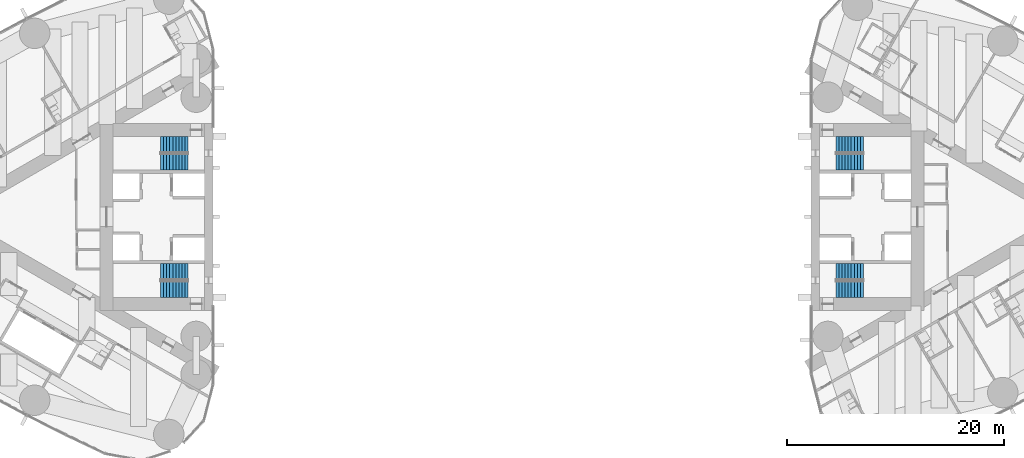
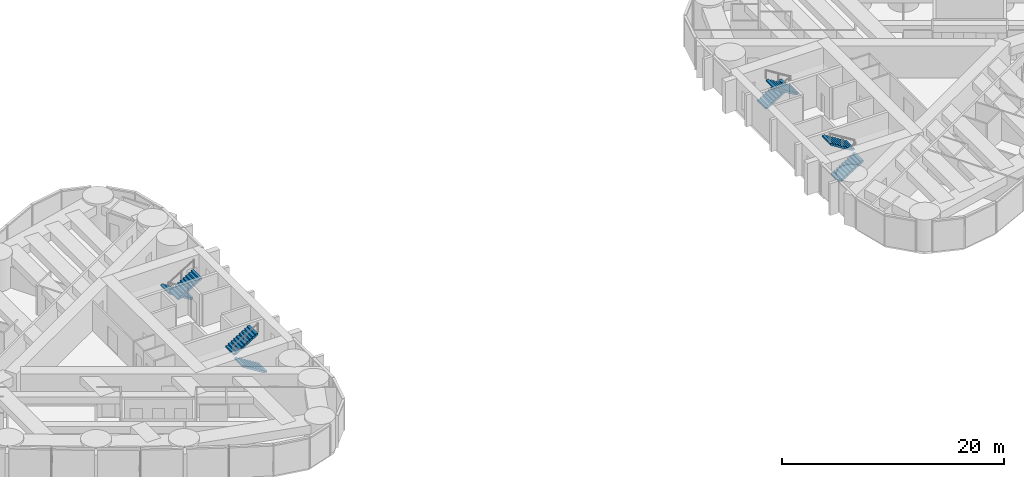
# One storey, part 17 of 19: 8 stair flights, 4 elements without a shape of their own.
"""IFC4 building model written with IfcOpenShell, lengths in metres."""

from ifc_helpers import new_model, si_unit, direction, frame, origin, place, context, subcontext, project, spatial, polyline, outline, extrude, material, type_object, element, aggregate, save


model = new_model("IFC4")

# Units and contexts
model_context = context("Model", 3, precision=1e-05, world=origin(), true_north=direction((0.0, 1.0)))
body_context = subcontext(model_context, "Body", "Model", "MODEL_VIEW")
ifc_project = project(units=[si_unit("LENGTHUNIT", "METRE"), si_unit("AREAUNIT", "SQUARE_METRE"), si_unit("VOLUMEUNIT", "CUBIC_METRE"), si_unit("PLANEANGLEUNIT", "RADIAN"), si_unit("MASSUNIT", "GRAM", prefix="KILO")], contexts=[model_context])

# Site, building, storey
site_placement = place(None, origin())
site = spatial("IfcSite", under=ifc_project, at=site_placement, CompositionType="ELEMENT")
building_placement = place(site_placement, origin())
building = spatial("IfcBuilding", under=site, at=building_placement, Name="Lancet Gate Hotel", CompositionType="ELEMENT")
storey_placement = place(building_placement, frame((0.0, 0.0, 194.800048828125)))
storey = spatial("IfcBuildingStorey", under=building, at=storey_placement, Name="L52", CompositionType="ELEMENT", Elevation=194.800048828125)

# Stair, stair flights
ifc_material_1 = material(Name="Exit stair 20 risers 1500")
stair_type = type_object("IfcStairType", Name="Exit stair 20 risers 1500", PredefinedType="HALF_TURN_STAIR", material=ifc_material_1)
stair_1_placement = place(storey_placement, origin())
stair_1 = element("IfcStair", 1, at=stair_1_placement, inside=storey, type_object=stair_type, Name="T1 stair 1 L52", PredefinedType="HALF_TURN_STAIR")
ifc_material_2 = material(Name="Stair flight 10 risers 175 rise 1500")
stair_flight_type = type_object("IfcStairFlightType", Name="Stair flight 10 risers 175 rise 1500", PredefinedType="STRAIGHT", material=ifc_material_2)
stair_flight_1_placement = place(storey_placement, frame((-29.800048828125, 6.64990234375, 0.0), z_axis=(0.0, 0.0, 1.0), x_axis=(-1.0, 0.0, 0.0)))
stair_flight_1 = element("IfcStairFlight", 2, at=stair_flight_1_placement, type_object=stair_flight_type, Name="ST1 flight 1", NumberOfRisers=10, NumberOfTreads=9, PredefinedType="STRAIGHT", RiserHeight=0.175, TreadLength=0.28, context=body_context, shape_type="SweptSolid", body=[
    extrude(outline(polyline([(0.0, 0.0), (0.0, 0.175048828125), (0.280029296875, 0.175048828125), (0.280029296875, 0.35009765625), (0.56005859375, 0.35009765625), (0.56005859375, 0.52490234375), (0.840087890625, 0.52490234375), (0.840087890625, 0.699951171875), (1.1201171875, 0.699951171875), (1.1201171875, 0.875), (1.39990234375, 0.875), (1.39990234375, 1.050048828125), (1.679931640625, 1.050048828125), (1.679931640625, 1.22509765625), (1.9599609375, 1.22509765625), (1.9599609375, 1.39990234375), (2.239990234375, 1.39990234375), (2.239990234375, 1.574951171875), (2.52001953125, 1.574951171875), (2.52001953125, 1.75), (2.52001953125, 1.398193359375), (0.28271484375, 0.0), (0.0, 0.0)])), frame((0.0, 0.75, 0.0), z_axis=(0.0, -1.0, 0.0), x_axis=(1.0, 0.0, 0.0)), (0.0, 0.0, 1.0), 1.5),
])
stair_flight_2_placement = place(storey_placement, frame((-32.320068359375, 5.050048828125, 1.75), z_axis=(0.0, 0.0, 1.0), x_axis=(1.0, 0.0, 0.0)))
stair_flight_2 = element("IfcStairFlight", 3, at=stair_flight_2_placement, type_object=stair_flight_type, Name="ST1 flight 2", NumberOfRisers=10, NumberOfTreads=9, PredefinedType="STRAIGHT", RiserHeight=0.175, TreadLength=0.28, context=body_context, shape_type="SweptSolid", body=[
    extrude(outline(polyline([(0.0, 0.0), (0.0, 0.175048828125), (0.280029296875, 0.175048828125), (0.280029296875, 0.35009765625), (0.56005859375, 0.35009765625), (0.56005859375, 0.52490234375), (0.840087890625, 0.52490234375), (0.840087890625, 0.699951171875), (1.1201171875, 0.699951171875), (1.1201171875, 0.875), (1.39990234375, 0.875), (1.39990234375, 1.050048828125), (1.679931640625, 1.050048828125), (1.679931640625, 1.22509765625), (1.9599609375, 1.22509765625), (1.9599609375, 1.39990234375), (2.239990234375, 1.39990234375), (2.239990234375, 1.574951171875), (2.52001953125, 1.574951171875), (2.52001953125, 1.75), (2.52001953125, 1.398193359375), (0.28271484375, 0.0), (0.0, 0.0)])), frame((0.0, 0.75, 0.0), z_axis=(0.0, -1.0, 0.0), x_axis=(1.0, 0.0, 0.0)), (0.0, 0.0, 1.0), 1.5),
])
aggregate(stair_1, [stair_flight_1, stair_flight_2])

stair_2_placement = place(storey_placement, origin())
stair_2 = element("IfcStair", 4, at=stair_2_placement, inside=storey, type_object=stair_type, Name="T1 stair 2 L52", PredefinedType="HALF_TURN_STAIR")
stair_flight_3_placement = place(storey_placement, frame((-29.800048828125, -6.64990234375, 0.0), z_axis=(0.0, 0.0, 1.0), x_axis=(-1.0, 0.0, 0.0)))
stair_flight_3 = element("IfcStairFlight", 5, at=stair_flight_3_placement, type_object=stair_flight_type, Name="ST2 flight 1", NumberOfRisers=10, NumberOfTreads=9, PredefinedType="STRAIGHT", RiserHeight=0.175, TreadLength=0.28, context=body_context, shape_type="SweptSolid", body=[
    extrude(outline(polyline([(0.0, 0.0), (0.0, 0.175048828125), (0.280029296875, 0.175048828125), (0.280029296875, 0.35009765625), (0.56005859375, 0.35009765625), (0.56005859375, 0.52490234375), (0.840087890625, 0.52490234375), (0.840087890625, 0.699951171875), (1.1201171875, 0.699951171875), (1.1201171875, 0.875), (1.39990234375, 0.875), (1.39990234375, 1.050048828125), (1.679931640625, 1.050048828125), (1.679931640625, 1.22509765625), (1.9599609375, 1.22509765625), (1.9599609375, 1.39990234375), (2.239990234375, 1.39990234375), (2.239990234375, 1.574951171875), (2.52001953125, 1.574951171875), (2.52001953125, 1.75), (2.52001953125, 1.398193359375), (0.28271484375, 0.0), (0.0, 0.0)])), frame((0.0, 0.75, 0.0), z_axis=(0.0, -1.0, 0.0), x_axis=(1.0, 0.0, 0.0)), (0.0, 0.0, 1.0), 1.5),
])
stair_flight_4_placement = place(storey_placement, frame((-32.320068359375, -5.050048828125, 1.75), z_axis=(0.0, 0.0, 1.0), x_axis=(1.0, 0.0, 0.0)))
stair_flight_4 = element("IfcStairFlight", 6, at=stair_flight_4_placement, type_object=stair_flight_type, Name="ST2 flight 2", NumberOfRisers=10, NumberOfTreads=9, PredefinedType="STRAIGHT", RiserHeight=0.175, TreadLength=0.28, context=body_context, shape_type="SweptSolid", body=[
    extrude(outline(polyline([(0.0, 0.0), (0.0, 0.175048828125), (0.280029296875, 0.175048828125), (0.280029296875, 0.35009765625), (0.56005859375, 0.35009765625), (0.56005859375, 0.52490234375), (0.840087890625, 0.52490234375), (0.840087890625, 0.699951171875), (1.1201171875, 0.699951171875), (1.1201171875, 0.875), (1.39990234375, 0.875), (1.39990234375, 1.050048828125), (1.679931640625, 1.050048828125), (1.679931640625, 1.22509765625), (1.9599609375, 1.22509765625), (1.9599609375, 1.39990234375), (2.239990234375, 1.39990234375), (2.239990234375, 1.574951171875), (2.52001953125, 1.574951171875), (2.52001953125, 1.75), (2.52001953125, 1.398193359375), (0.28271484375, 0.0), (0.0, 0.0)])), frame((0.0, 0.75, 0.0), z_axis=(0.0, -1.0, 0.0), x_axis=(1.0, 0.0, 0.0)), (0.0, 0.0, 1.0), 1.5),
])
aggregate(stair_2, [stair_flight_3, stair_flight_4])

stair_3_placement = place(storey_placement, origin())
stair_3 = element("IfcStair", 7, at=stair_3_placement, inside=storey, type_object=stair_type, Name="T2 stair 1 L52", PredefinedType="HALF_TURN_STAIR")
stair_flight_5_placement = place(storey_placement, frame((29.800048828125, -6.64990234375, 0.0), z_axis=(0.0, 0.0, 1.0), x_axis=(1.0, 0.0, 0.0)))
stair_flight_5 = element("IfcStairFlight", 8, at=stair_flight_5_placement, type_object=stair_flight_type, Name="ST3 flight 1", NumberOfRisers=10, NumberOfTreads=9, PredefinedType="STRAIGHT", RiserHeight=0.175, TreadLength=0.28, context=body_context, shape_type="SweptSolid", body=[
    extrude(outline(polyline([(0.0, 0.0), (0.0, 0.175048828125), (0.280029296875, 0.175048828125), (0.280029296875, 0.35009765625), (0.56005859375, 0.35009765625), (0.56005859375, 0.52490234375), (0.840087890625, 0.52490234375), (0.840087890625, 0.699951171875), (1.1201171875, 0.699951171875), (1.1201171875, 0.875), (1.39990234375, 0.875), (1.39990234375, 1.050048828125), (1.679931640625, 1.050048828125), (1.679931640625, 1.22509765625), (1.9599609375, 1.22509765625), (1.9599609375, 1.39990234375), (2.239990234375, 1.39990234375), (2.239990234375, 1.574951171875), (2.52001953125, 1.574951171875), (2.52001953125, 1.75), (2.52001953125, 1.398193359375), (0.28271484375, 0.0), (0.0, 0.0)])), frame((0.0, 0.75, 0.0), z_axis=(0.0, -1.0, 0.0), x_axis=(1.0, 0.0, 0.0)), (0.0, 0.0, 1.0), 1.5),
])
stair_flight_6_placement = place(storey_placement, frame((32.320068359375, -5.050048828125, 1.75), z_axis=(0.0, 0.0, 1.0), x_axis=(-1.0, 0.0, 0.0)))
stair_flight_6 = element("IfcStairFlight", 9, at=stair_flight_6_placement, type_object=stair_flight_type, Name="ST3 flight 2", NumberOfRisers=10, NumberOfTreads=9, PredefinedType="STRAIGHT", RiserHeight=0.175, TreadLength=0.28, context=body_context, shape_type="SweptSolid", body=[
    extrude(outline(polyline([(0.0, 0.0), (0.0, 0.175048828125), (0.280029296875, 0.175048828125), (0.280029296875, 0.35009765625), (0.56005859375, 0.35009765625), (0.56005859375, 0.52490234375), (0.840087890625, 0.52490234375), (0.840087890625, 0.699951171875), (1.1201171875, 0.699951171875), (1.1201171875, 0.875), (1.39990234375, 0.875), (1.39990234375, 1.050048828125), (1.679931640625, 1.050048828125), (1.679931640625, 1.22509765625), (1.9599609375, 1.22509765625), (1.9599609375, 1.39990234375), (2.239990234375, 1.39990234375), (2.239990234375, 1.574951171875), (2.52001953125, 1.574951171875), (2.52001953125, 1.75), (2.52001953125, 1.398193359375), (0.28271484375, 0.0), (0.0, 0.0)])), frame((0.0, 0.75, 0.0), z_axis=(0.0, -1.0, 0.0), x_axis=(1.0, 0.0, 0.0)), (0.0, 0.0, 1.0), 1.5),
])
aggregate(stair_3, [stair_flight_5, stair_flight_6])

stair_4_placement = place(storey_placement, origin())
stair_4 = element("IfcStair", 10, at=stair_4_placement, inside=storey, type_object=stair_type, Name="T2 stair 2 L52", PredefinedType="HALF_TURN_STAIR")
stair_flight_7_placement = place(storey_placement, frame((29.800048828125, 6.64990234375, 0.0), z_axis=(0.0, 0.0, 1.0), x_axis=(1.0, 0.0, 0.0)))
stair_flight_7 = element("IfcStairFlight", 11, at=stair_flight_7_placement, type_object=stair_flight_type, Name="ST4 flight 1", NumberOfRisers=10, NumberOfTreads=9, PredefinedType="STRAIGHT", RiserHeight=0.175, TreadLength=0.28, context=body_context, shape_type="SweptSolid", body=[
    extrude(outline(polyline([(0.0, 0.0), (0.0, 0.175048828125), (0.280029296875, 0.175048828125), (0.280029296875, 0.35009765625), (0.56005859375, 0.35009765625), (0.56005859375, 0.52490234375), (0.840087890625, 0.52490234375), (0.840087890625, 0.699951171875), (1.1201171875, 0.699951171875), (1.1201171875, 0.875), (1.39990234375, 0.875), (1.39990234375, 1.050048828125), (1.679931640625, 1.050048828125), (1.679931640625, 1.22509765625), (1.9599609375, 1.22509765625), (1.9599609375, 1.39990234375), (2.239990234375, 1.39990234375), (2.239990234375, 1.574951171875), (2.52001953125, 1.574951171875), (2.52001953125, 1.75), (2.52001953125, 1.398193359375), (0.28271484375, 0.0), (0.0, 0.0)])), frame((0.0, 0.75, 0.0), z_axis=(0.0, -1.0, 0.0), x_axis=(1.0, 0.0, 0.0)), (0.0, 0.0, 1.0), 1.5),
])
stair_flight_8_placement = place(storey_placement, frame((32.320068359375, 5.050048828125, 1.75), z_axis=(0.0, 0.0, 1.0), x_axis=(-1.0, 0.0, 0.0)))
stair_flight_8 = element("IfcStairFlight", 12, at=stair_flight_8_placement, type_object=stair_flight_type, Name="ST4 flight 2", NumberOfRisers=10, NumberOfTreads=9, PredefinedType="STRAIGHT", RiserHeight=0.175, TreadLength=0.28, context=body_context, shape_type="SweptSolid", body=[
    extrude(outline(polyline([(0.0, 0.0), (0.0, 0.175048828125), (0.280029296875, 0.175048828125), (0.280029296875, 0.35009765625), (0.56005859375, 0.35009765625), (0.56005859375, 0.52490234375), (0.840087890625, 0.52490234375), (0.840087890625, 0.699951171875), (1.1201171875, 0.699951171875), (1.1201171875, 0.875), (1.39990234375, 0.875), (1.39990234375, 1.050048828125), (1.679931640625, 1.050048828125), (1.679931640625, 1.22509765625), (1.9599609375, 1.22509765625), (1.9599609375, 1.39990234375), (2.239990234375, 1.39990234375), (2.239990234375, 1.574951171875), (2.52001953125, 1.574951171875), (2.52001953125, 1.75), (2.52001953125, 1.398193359375), (0.28271484375, 0.0), (0.0, 0.0)])), frame((0.0, 0.75, 0.0), z_axis=(0.0, -1.0, 0.0), x_axis=(1.0, 0.0, 0.0)), (0.0, 0.0, 1.0), 1.5),
])
aggregate(stair_4, [stair_flight_7, stair_flight_8])

save(model, "model.ifc")
